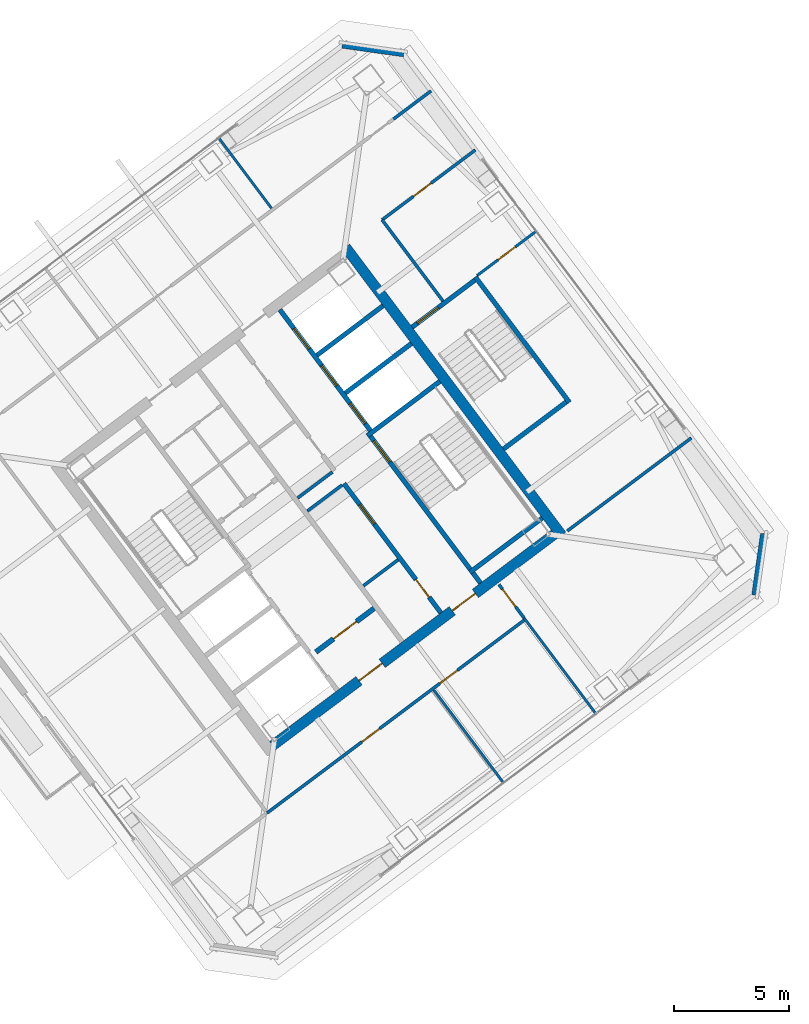
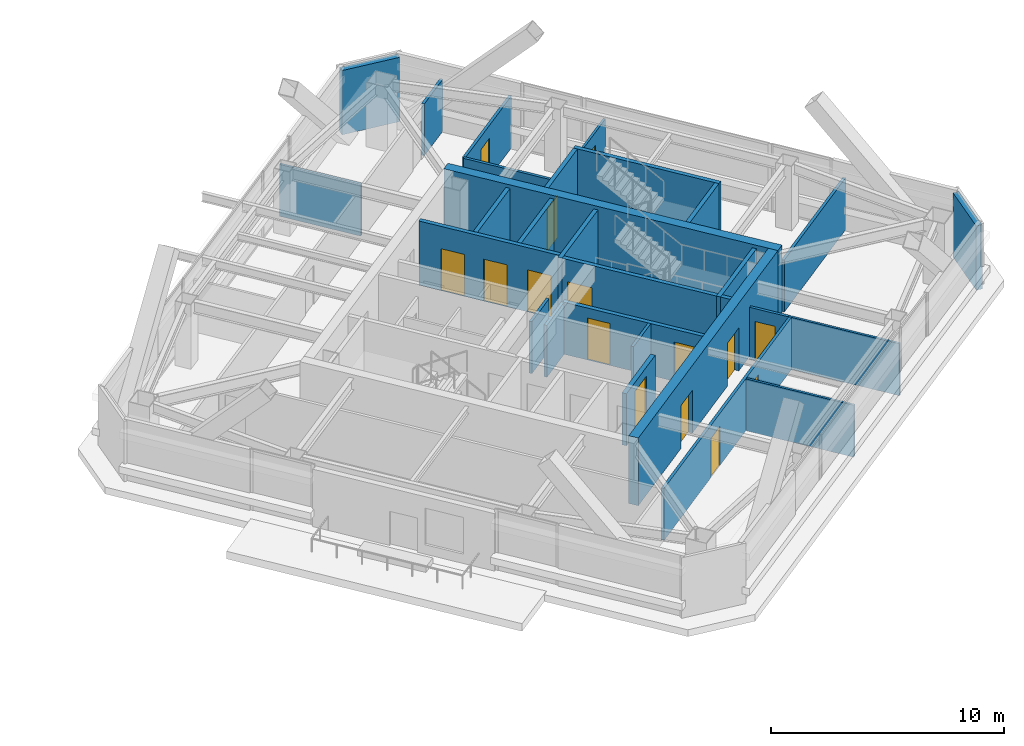
# One storey, part 33 of 39: 28 walls, 15 doors, 15 openings.
"""IFC4 building model written with IfcOpenShell, lengths in metres."""

from ifc_helpers import new_model, si_unit, direction, frame, frame_2d, origin, place, context, subcontext, project, spatial, rectangle, extrude, material, layer, layer_set, type_object, element, fill, save


model = new_model("IFC4")

# Units and contexts
model_context = context("Model", 3, precision=1e-05, world=origin(), true_north=direction((0.0, 1.0)))
body_context = subcontext(model_context, "Body", "Model", "MODEL_VIEW")
ifc_project = project(units=[si_unit("LENGTHUNIT", "METRE"), si_unit("AREAUNIT", "SQUARE_METRE"), si_unit("VOLUMEUNIT", "CUBIC_METRE"), si_unit("PLANEANGLEUNIT", "RADIAN"), si_unit("MASSUNIT", "GRAM", prefix="KILO")], contexts=[model_context])

# Site, building, storey
site_placement = place(None, origin())
site = spatial("IfcSite", under=ifc_project, at=site_placement, CompositionType="ELEMENT")
building_placement = place(site_placement, origin())
building = spatial("IfcBuilding", under=site, at=building_placement, Name="Tashvorn Skyway Center", CompositionType="ELEMENT")
storey_placement = place(building_placement, frame((0.0, 0.0, 232.60009765625)))
storey = spatial("IfcBuildingStorey", under=building, at=storey_placement, Name="L63", CompositionType="ELEMENT", Elevation=232.60009765625)

# Wall
ifc_material_1 = material(Name="Concrete C50/60", Category="concrete")
ifc_layer_1 = layer(ifc_material_1, 0.449951171875)
ifc_layer_set_1 = layer_set([ifc_layer_1], Name="Concrete C50/60")
wall_type_1 = type_object("IfcWallType", Name="WALL-CORE-450", PredefinedType="SHEAR", material=ifc_layer_set_1)
wall_1_placement = place(storey_placement, frame((115.60400390625, 42.952880859375, 0.0), z_axis=(0.0, 0.0, 1.0), x_axis=(0.600005007985, -0.799996243986, 0.0)))
element("IfcWall", 1, at=wall_1_placement, inside=storey, type_object=wall_type_1, Name="Tower 2 L63 East Core Shear Wall", PredefinedType="SHEAR", context=body_context, shape_type="SweptSolid", body=[
    extrude(rectangle(XDim=15.60009765625, YDim=0.449951171875, at=frame_2d((7.800048828125, 0.0))), origin(), (0.0, 0.0, 1.0), 3.5498046875),
])

# Wall, openings, doors
wall_2_placement = place(storey_placement, frame((124.64892578125, 30.51806640625, 0.0), z_axis=(0.0, 0.0, 1.0), x_axis=(-0.8, -0.6, 0.0)))
wall_2 = element("IfcWall", 2, at=wall_2_placement, inside=storey, type_object=wall_type_1, Name="Tower 2 L63 South Core Shear Wall", PredefinedType="SHEAR", context=body_context, shape_type="SweptSolid", body=[
    extrude(rectangle(XDim=15.260009765625, YDim=0.449951171875, at=frame_2d((7.6298828125, 0.0))), origin(), (0.0, 0.0, 1.0), 3.5498046875),
])
opening_1_placement = place(wall_2_placement, frame((9.330078125, 0.0, 0.0)))
opening_1 = element("IfcOpeningElement", 3, at=opening_1_placement, cuts=wall_2, Name="Opening D-FFL-1250", PredefinedType="OPENING", context=body_context, shape_type="SweptSolid", body=[
    extrude(rectangle(XDim=1.25, YDim=2.25, at=frame_2d((0.625, 1.125))), frame((0.0, 0.23486328125, 0.0), z_axis=(0.0, -1.0, 0.0), x_axis=(1.0, 0.0, 0.0)), (0.0, 0.0, 1.0), 0.469970703125),
])
opening_2_placement = place(wall_2_placement, frame((4.280029296875, 0.0, 0.0)))
opening_2 = element("IfcOpeningElement", 4, at=opening_2_placement, cuts=wall_2, Name="Opening D-FFL-1250", PredefinedType="OPENING", context=body_context, shape_type="SweptSolid", body=[
    extrude(rectangle(XDim=1.25, YDim=2.25, at=frame_2d((0.625, 1.125))), frame((0.0, 0.23486328125, 0.0), z_axis=(0.0, -1.0, 0.0), x_axis=(1.0, 0.0, 0.0)), (0.0, 0.0, 1.0), 0.469970703125),
])
ifc_material_2 = material(Name="Hollow galvanized steel fire door assembly", Category="steel")
door_type_1 = type_object("IfcDoorType", Name="DOOR-FFL-1250", OperationType="NOTDEFINED", PredefinedType="DOOR", material=ifc_material_2)
door_1_placement = place(opening_1_placement, origin())
door_1 = element("IfcDoor", 5, at=door_1_placement, inside=storey, type_object=door_type_1, Name="Tower 2 L63 Core South Firefighting Exit Door", OperationType="SINGLE_SWING_LEFT", OverallHeight=2.25, OverallWidth=1.25, PredefinedType="DOOR", context=body_context, shape_type="SweptSolid", body=[
    extrude(rectangle(XDim=1.25, YDim=2.25, at=frame_2d((0.625, 1.125))), frame((0.0, 0.02490234375, 0.0), z_axis=(0.0, -1.0, 0.0), x_axis=(1.0, 0.0, 0.0)), (0.0, 0.0, 1.0), 0.050048828125),
])
fill(opening_1, door_1)
door_2_placement = place(opening_2_placement, origin())
door_2 = element("IfcDoor", 6, at=door_2_placement, inside=storey, type_object=door_type_1, Name="Tower 2 L63 Core South Lift Lobby Door", OperationType="SINGLE_SWING_RIGHT", OverallHeight=2.25, OverallWidth=1.25, PredefinedType="DOOR", context=body_context, shape_type="SweptSolid", body=[
    extrude(rectangle(XDim=1.25, YDim=2.25, at=frame_2d((0.625, 1.125))), frame((0.0, 0.02490234375, 0.0), z_axis=(0.0, -1.0, 0.0), x_axis=(1.0, 0.0, 0.0)), (0.0, 0.0, 1.0), 0.050048828125),
])
fill(opening_2, door_2)

# Walls
ifc_material_3 = material(Name="Precast concrete C40/50", Category="concrete")
ifc_layer_2 = layer(ifc_material_3, 0.280029296875)
ifc_layer_set_2 = layer_set([ifc_layer_2], Name="Precast concrete C40/50")
wall_type_2 = type_object("IfcWallType", Name="WALL-EXT-280", PredefinedType="SOLIDWALL", material=ifc_layer_set_2)
for number, where, z_axis, x_axis, name in (
    (7, (115.4599609375, 51.719970703125, 0.0), (0.0, 0.0, 1.0), (0.989956760759, -0.141370477216, 0.0), "Tower 2 L63 NE Precast Chamfer Wall"),
    (8, (133.719970703125, 30.5400390625, 0.0), (0.0, 0.0, 1.0), (-0.141370477216, -0.989956760759, 0.0), "Tower 2 L63 SE Precast Chamfer Wall"),
):
    element("IfcWall", number, at=place(storey_placement, frame(where, z_axis=z_axis, x_axis=x_axis)), inside=storey, type_object=wall_type_2, Name=name, PredefinedType="SOLIDWALL", context=body_context, shape_type="SweptSolid", body=[
        extrude(rectangle(XDim=2.687255859375, YDim=0.280029296875, at=frame_2d((1.34375, 0.0))), origin(), (0.0, 0.0, 1.0), 3.369873046875),
    ])

# Wall, opening, door
ifc_material_4 = material(Name="Concrete C40/50", Category="concrete")
ifc_layer_3 = layer(ifc_material_4, 0.219970703125)
ifc_layer_set_3 = layer_set([ifc_layer_3], Name="Concrete C40/50")
wall_type_3 = type_object("IfcWallType", Name="WALL-FFL-220", PredefinedType="SOLIDWALL", material=ifc_layer_set_3)
wall_3_placement = place(storey_placement, frame((114.31591796875, 25.412109375, 0.0), z_axis=(0.0, 0.0, 1.0), x_axis=(0.800018601094, 0.59997519774, 0.0)))
wall_3 = element("IfcWall", 9, at=wall_3_placement, inside=storey, type_object=wall_type_3, Name="Tower 2 L63 Firefighting Lobby South Wall", PredefinedType="SOLIDWALL", context=body_context, shape_type="SweptSolid", body=[
    extrude(rectangle(XDim=3.14990234375, YDim=0.219970703125, at=frame_2d((1.574951171875, 0.0))), origin(), (0.0, 0.0, 1.0), 2.722900390625),
])
opening_3_placement = place(wall_3_placement, frame((0.949951171875, 0.0, 0.0)))
opening_3 = element("IfcOpeningElement", 10, at=opening_3_placement, cuts=wall_3, Name="Opening D-FFL-1250", PredefinedType="OPENING", context=body_context, shape_type="SweptSolid", body=[
    extrude(rectangle(XDim=1.25, YDim=2.25, at=frame_2d((0.625, 1.125))), frame((0.0, 0.119873046875, 0.0), z_axis=(0.0, -1.0, 0.0), x_axis=(1.0, 0.0, 0.0)), (0.0, 0.0, 1.0), 0.239990234375),
])
door_3_placement = place(opening_3_placement, origin())
door_3 = element("IfcDoor", 11, at=door_3_placement, inside=storey, type_object=door_type_1, Name="Tower 2 L63 Firefighting Lobby Egress Door", OperationType="SINGLE_SWING_LEFT", OverallHeight=2.25, OverallWidth=1.25, PredefinedType="DOOR", context=body_context, shape_type="SweptSolid", body=[
    extrude(rectangle(XDim=1.25, YDim=2.25, at=frame_2d((0.625, 1.125))), frame((0.0, 0.02490234375, 0.0), z_axis=(0.0, -1.0, 0.0), x_axis=(1.0, 0.0, 0.0)), (0.0, 0.0, 1.0), 0.050048828125),
])
fill(opening_3, door_3)

# Walls
ifc_material_5 = material(Name="Gypsum board on cold-formed steel stud framing", Category="steel")
ifc_layer_4 = layer(ifc_material_5, 0.110107421875)
ifc_layer_set_4 = layer_set([ifc_layer_4], Name="Gypsum board on cold-formed steel stud framing")
wall_type_4 = type_object("IfcWallType", Name="WALL-PART-110", PredefinedType="PARTITIONING", material=ifc_layer_set_4)
wall_4_placement = place(storey_placement, frame((112.39208984375, 44.64404296875, 0.0), z_axis=(0.0, 0.0, 1.0), x_axis=(-0.6, 0.8, 0.0)))
element("IfcWall", 12, at=wall_4_placement, inside=storey, type_object=wall_type_4, Name="Tower 2 L63 North Suite Partition 2", PredefinedType="PARTITIONING", context=body_context, shape_type="SweptSolid", body=[
    extrude(rectangle(XDim=3.800048828125, YDim=0.110107421875, at=frame_2d((1.89990234375, 0.0))), origin(), (0.0, 0.0, 1.0), 2.722900390625),
])
wall_5_placement = place(storey_placement, frame((122.447998046875, 19.736083984375, 0.0), z_axis=(0.0, 0.0, 1.0), x_axis=(-0.600015531756, 0.799988350947, 0.0)))
element("IfcWall", 13, at=wall_5_placement, inside=storey, type_object=wall_type_4, Name="Tower 2 L63 South Suite Partition 1", PredefinedType="PARTITIONING", context=body_context, shape_type="SweptSolid", body=[
    extrude(rectangle(XDim=5.030029296875, YDim=0.110107421875, at=frame_2d((2.51513671875, 0.0))), origin(), (0.0, 0.0, 1.0), 2.722900390625),
])
wall_6_placement = place(storey_placement, frame((126.447998046875, 22.736083984375, 0.0), z_axis=(0.0, 0.0, 1.0), x_axis=(-0.600015053192, 0.799988709885, 0.0)))
element("IfcWall", 14, at=wall_6_placement, inside=storey, type_object=wall_type_4, Name="Tower 2 L63 South-East Suite Wall", PredefinedType="PARTITIONING", context=body_context, shape_type="SweptSolid", body=[
    extrude(rectangle(XDim=5.18994140625, YDim=0.110107421875, at=frame_2d((2.594970703125, 0.0))), origin(), (0.0, 0.0, 1.0), 2.722900390625),
])

# Wall, opening, door
wall_7_placement = place(storey_placement, frame((123.864013671875, 43.64794921875, 0.0), z_axis=(0.0, 0.0, 1.0), x_axis=(-0.800018310174, -0.599975585658, 0.0)))
wall_7 = element("IfcWall", 15, at=wall_7_placement, inside=storey, type_object=wall_type_4, Name="Tower 2 L63 East Suite Partition 1", PredefinedType="PARTITIONING", context=body_context, shape_type="SweptSolid", body=[
    extrude(rectangle(XDim=3.199951171875, YDim=0.110107421875, at=frame_2d((1.60009765625, 0.0))), origin(), (0.0, 0.0, 1.0), 2.722900390625),
])
opening_4_placement = place(wall_7_placement, frame((1.125, 0.0, 0.0)))
opening_4 = element("IfcOpeningElement", 16, at=opening_4_placement, cuts=wall_7, Name="Opening D-INT-950", PredefinedType="OPENING", context=body_context, shape_type="SweptSolid", body=[
    extrude(rectangle(XDim=0.949951171875, YDim=2.050048828125, at=frame_2d((0.47509765625, 1.02490234375))), frame((0.0, 0.06494140625, 0.0), z_axis=(0.0, -1.0, 0.0), x_axis=(1.0, 0.0, 0.0)), (0.0, 0.0, 1.0), 0.130126953125),
])
ifc_material_6 = material(Name="Solid-core architectural oak veneer door")
door_type_2 = type_object("IfcDoorType", Name="DOOR-INT-950", OperationType="NOTDEFINED", PredefinedType="DOOR", material=ifc_material_6)
door_4_placement = place(opening_4_placement, origin())
door_4 = element("IfcDoor", 17, at=door_4_placement, inside=storey, type_object=door_type_2, Name="Tower 2 L63 Boardroom Door", OperationType="SINGLE_SWING_RIGHT", OverallHeight=2.050048828125, OverallWidth=0.949951171875, PredefinedType="DOOR", context=body_context, shape_type="SweptSolid", body=[
    extrude(rectangle(XDim=0.949951171875, YDim=2.050048828125, at=frame_2d((0.47509765625, 1.02490234375))), frame((0.0, 0.02490234375, 0.0), z_axis=(0.0, -1.0, 0.0), x_axis=(1.0, 0.0, 0.0)), (0.0, 0.0, 1.0), 0.050048828125),
])
fill(opening_4, door_4)

# Walls
ifc_layer_5 = layer(ifc_material_5, 0.135009765625)
ifc_layer_set_5 = layer_set([ifc_layer_5], Name="Gypsum board on cold-formed steel stud framing")
wall_type_5 = type_object("IfcWallType", Name="WALL-PART-135", PredefinedType="PARTITIONING", material=ifc_layer_set_5)
wall_8_placement = place(storey_placement, frame((119.823974609375, 40.617919921875, 0.0), z_axis=(0.0, 0.0, 1.0), x_axis=(-0.599982243973, 0.800013316712, 0.0)))
element("IfcWall", 18, at=wall_8_placement, inside=storey, type_object=wall_type_5, Name="Tower 2 L63 Stair 3 Access Corridor Wall", PredefinedType="PARTITIONING", context=body_context, shape_type="SweptSolid", body=[
    extrude(rectangle(XDim=4.39990234375, YDim=0.135009765625, at=frame_2d((2.199951171875, 0.0))), origin(), (0.0, 0.0, 1.0), 2.722900390625),
])
wall_9_placement = place(storey_placement, frame((117.679931640625, 48.510009765625, 0.0), z_axis=(0.0, 0.0, 1.0), x_axis=(0.8, 0.6, 0.0)))
element("IfcWall", 19, at=wall_9_placement, inside=storey, type_object=wall_type_5, Name="Tower 2 L63 North-East Suite South Wall", PredefinedType="PARTITIONING", context=body_context, shape_type="SweptSolid", body=[
    extrude(rectangle(XDim=2.030029296875, YDim=0.135009765625, at=frame_2d((1.01513671875, 0.0))), origin(), (0.0, 0.0, 1.0), 2.722900390625),
])

# Wall, openings, doors
wall_10_placement = place(storey_placement, frame((123.382080078125, 26.823974609375, 0.0), z_axis=(0.0, 0.0, 1.0), x_axis=(-0.800004191227, -0.599994411657, 0.0)))
wall_10 = element("IfcWall", 20, at=wall_10_placement, inside=storey, type_object=wall_type_5, Name="Tower 2 L63 South Suite Wall", PredefinedType="PARTITIONING", context=body_context, shape_type="SweptSolid", body=[
    extrude(rectangle(XDim=13.97998046875, YDim=0.135009765625, at=frame_2d((6.989990234375, 0.0))), origin(), (0.0, 0.0, 1.0), 2.722900390625),
])
opening_5_placement = place(wall_10_placement, frame((7.886962890625, 0.0, 0.0)))
opening_5 = element("IfcOpeningElement", 21, at=opening_5_placement, cuts=wall_10, Name="Opening D-INT-950", PredefinedType="OPENING", context=body_context, shape_type="SweptSolid", body=[
    extrude(rectangle(XDim=0.949951171875, YDim=2.050048828125, at=frame_2d((0.47509765625, 1.02490234375))), frame((0.0, 0.077392578125, 0.0), z_axis=(0.0, -1.0, 0.0), x_axis=(1.0, 0.0, 0.0)), (0.0, 0.0, 1.0), 0.155029296875),
])
opening_6_placement = place(wall_10_placement, frame((3.669921875, 0.0, 0.0)))
opening_6 = element("IfcOpeningElement", 22, at=opening_6_placement, cuts=wall_10, Name="Opening D-INT-950", PredefinedType="OPENING", context=body_context, shape_type="SweptSolid", body=[
    extrude(rectangle(XDim=0.949951171875, YDim=2.050048828125, at=frame_2d((0.47509765625, 1.02490234375))), frame((0.0, 0.077392578125, 0.0), z_axis=(0.0, -1.0, 0.0), x_axis=(1.0, 0.0, 0.0)), (0.0, 0.0, 1.0), 0.155029296875),
])
door_5_placement = place(opening_5_placement, origin())
door_5 = element("IfcDoor", 23, at=door_5_placement, inside=storey, type_object=door_type_2, Name="Tower 2 L63 Operations Control Room Door", OperationType="SINGLE_SWING_RIGHT", OverallHeight=2.050048828125, OverallWidth=0.949951171875, PredefinedType="DOOR", context=body_context, shape_type="SweptSolid", body=[
    extrude(rectangle(XDim=0.949951171875, YDim=2.050048828125, at=frame_2d((0.47509765625, 1.02490234375))), frame((0.0, 0.02490234375, 0.0), z_axis=(0.0, -1.0, 0.0), x_axis=(1.0, 0.0, 0.0)), (0.0, 0.0, 1.0), 0.050048828125),
])
fill(opening_5, door_5)
door_6_placement = place(opening_6_placement, origin())
door_6 = element("IfcDoor", 24, at=door_6_placement, inside=storey, type_object=door_type_2, Name="Tower 2 L63 Boardroom Door", OperationType="SINGLE_SWING_LEFT", OverallHeight=2.050048828125, OverallWidth=0.949951171875, PredefinedType="DOOR", context=body_context, shape_type="SweptSolid", body=[
    extrude(rectangle(XDim=0.949951171875, YDim=2.050048828125, at=frame_2d((0.47509765625, 1.02490234375))), frame((0.0, 0.02490234375, 0.0), z_axis=(0.0, -1.0, 0.0), x_axis=(1.0, 0.0, 0.0)), (0.0, 0.0, 1.0), 0.050048828125),
])
fill(opening_6, door_6)

# Wall, opening, door
wall_11_placement = place(storey_placement, frame((122.248046875, 28.3359375, 0.0), z_axis=(0.0, 0.0, 1.0), x_axis=(0.599978417824, -0.800016186177, 0.0)))
wall_11 = element("IfcWall", 25, at=wall_11_placement, inside=storey, type_object=wall_type_5, Name="Tower 2 L63 South Gallery End Wall", PredefinedType="PARTITIONING", context=body_context, shape_type="SweptSolid", body=[
    extrude(rectangle(XDim=1.81005859375, YDim=0.135009765625, at=frame_2d((0.905029296875, 0.0))), origin(), (0.0, 0.0, 1.0), 2.722900390625),
])
opening_7_placement = place(wall_11_placement, frame((0.25, 0.0, 0.0)))
opening_7 = element("IfcOpeningElement", 26, at=opening_7_placement, cuts=wall_11, Name="Opening D-INT-950", PredefinedType="OPENING", context=body_context, shape_type="SweptSolid", body=[
    extrude(rectangle(XDim=0.949951171875, YDim=2.050048828125, at=frame_2d((0.47509765625, 1.02490234375))), frame((0.0, 0.077392578125, 0.0), z_axis=(0.0, -1.0, 0.0), x_axis=(1.0, 0.0, 0.0)), (0.0, 0.0, 1.0), 0.155029296875),
])
door_7_placement = place(opening_7_placement, origin())
door_7 = element("IfcDoor", 27, at=door_7_placement, inside=storey, type_object=door_type_2, Name="Tower 2 L63 Wellness Clinic Door", OperationType="SINGLE_SWING_RIGHT", OverallHeight=2.050048828125, OverallWidth=0.949951171875, PredefinedType="DOOR", context=body_context, shape_type="SweptSolid", body=[
    extrude(rectangle(XDim=0.949951171875, YDim=2.050048828125, at=frame_2d((0.47509765625, 1.02490234375))), frame((0.0, 0.02490234375, 0.0), z_axis=(0.0, -1.0, 0.0), x_axis=(1.0, 0.0, 0.0)), (0.0, 0.0, 1.0), 0.050048828125),
])
fill(opening_7, door_7)

wall_12_placement = place(storey_placement, frame((121.22412109375, 47.16796875, 0.0), z_axis=(0.0, 0.0, 1.0), x_axis=(-0.8, -0.6, 0.0)))
wall_12 = element("IfcWall", 28, at=wall_12_placement, inside=storey, type_object=wall_type_5, Name="Tower 2 L63 East Suite North Wall", PredefinedType="PARTITIONING", context=body_context, shape_type="SweptSolid", body=[
    extrude(rectangle(XDim=5.050048828125, YDim=0.135009765625, at=frame_2d((2.52490234375, 0.0))), origin(), (0.0, 0.0, 1.0), 2.722900390625),
])
opening_8_placement = place(wall_12_placement, frame((2.39990234375, 0.0, 0.0)))
opening_8 = element("IfcOpeningElement", 29, at=opening_8_placement, cuts=wall_12, Name="Opening D-INT-950", PredefinedType="OPENING", context=body_context, shape_type="SweptSolid", body=[
    extrude(rectangle(XDim=0.949951171875, YDim=2.050048828125, at=frame_2d((0.47509765625, 1.02490234375))), frame((0.0, 0.077392578125, 0.0), z_axis=(0.0, -1.0, 0.0), x_axis=(1.0, 0.0, 0.0)), (0.0, 0.0, 1.0), 0.155029296875),
])
door_8_placement = place(opening_8_placement, origin())
door_8 = element("IfcDoor", 30, at=door_8_placement, inside=storey, type_object=door_type_2, Name="Tower 2 L63 Wellness Clinic Door", OperationType="SINGLE_SWING_LEFT", OverallHeight=2.050048828125, OverallWidth=0.949951171875, PredefinedType="DOOR", context=body_context, shape_type="SweptSolid", body=[
    extrude(rectangle(XDim=0.949951171875, YDim=2.050048828125, at=frame_2d((0.47509765625, 1.02490234375))), frame((0.0, 0.02490234375, 0.0), z_axis=(0.0, -1.0, 0.0), x_axis=(1.0, 0.0, 0.0)), (0.0, 0.0, 1.0), 0.050048828125),
])
fill(opening_8, door_8)

# Walls
wall_13_placement = place(storey_placement, frame((125.2080078125, 30.656005859375, 0.0), z_axis=(0.0, 0.0, 1.0), x_axis=(0.8, 0.6, 0.0)))
element("IfcWall", 31, at=wall_13_placement, inside=storey, type_object=wall_type_5, Name="Tower 2 L63 East Suite South Wall", PredefinedType="PARTITIONING", context=body_context, shape_type="SweptSolid", body=[
    extrude(rectangle(XDim=6.719970703125, YDim=0.135009765625, at=frame_2d((3.35986328125, 0.0))), origin(), (0.0, 0.0, 1.0), 2.722900390625),
])
ifc_layer_6 = layer(ifc_material_5, 0.135009765625)
ifc_layer_set_6 = layer_set([ifc_layer_6], Name="Gypsum board on cold-formed steel stud framing")
wall_type_6 = type_object("IfcWallType", Name="WALL-RATED-135", PredefinedType="PARTITIONING", material=ifc_layer_set_6)
for number, where, z_axis, x_axis, name in (
    (32, (113.946044921875, 31.52197265625, 0.0), (0.0, 0.0, 1.0), (0.8, 0.6, 0.0), "Tower 2 L63 Core Room Partition"),
    (33, (116.3759765625, 28.281982421875, 0.0), (0.0, 0.0, 1.0), (0.8, 0.6, 0.0), "Tower 2 L63 Freed Core Partition"),
):
    element("IfcWall", number, at=place(storey_placement, frame(where, z_axis=z_axis, x_axis=x_axis)), inside=storey, type_object=wall_type_6, Name=name, PredefinedType="PARTITIONING", context=body_context, shape_type="SweptSolid", body=[
        extrude(rectangle(XDim=1.8798828125, YDim=0.135009765625, at=frame_2d((0.93994140625, 0.0))), origin(), (0.0, 0.0, 1.0), 2.722900390625),
    ])
wall_14_placement = place(storey_placement, frame((113.52587890625, 32.08203125, 0.0), z_axis=(0.0, 0.0, 1.0), x_axis=(0.800046745961, 0.599937666993, 0.0)))
element("IfcWall", 34, at=wall_14_placement, inside=storey, type_object=wall_type_6, Name="Tower 2 L63 Core Room Partition", PredefinedType="PARTITIONING", context=body_context, shape_type="SweptSolid", body=[
    extrude(rectangle(XDim=1.880126953125, YDim=0.135009765625, at=frame_2d((0.93994140625, 0.0))), origin(), (0.0, 0.0, 1.0), 2.722900390625),
])
ifc_layer_7 = layer(ifc_material_4, 0.199951171875)
ifc_layer_set_7 = layer_set([ifc_layer_7], Name="Concrete C40/50")
wall_type_7 = type_object("IfcWallType", Name="WALL-SHAFT-200", PredefinedType="SOLIDWALL", material=ifc_layer_set_7)
for number, where, z_axis, x_axis, name in (
    (35, (115.590087890625, 36.6298828125, 0.0), (0.0, 0.0, 1.0), (0.799975449747, 0.600032732276, 0.0), "Tower 2 L63 High-Rise Shaft Divider"),
    (36, (114.360107421875, 38.27001953125, 0.0), (0.0, 0.0, 1.0), (0.800008183455, 0.599989088572, 0.0), "Tower 2 L63 High-Rise Shaft Divider"),
):
    element("IfcWall", number, at=place(storey_placement, frame(where, z_axis=z_axis, x_axis=x_axis)), inside=storey, type_object=wall_type_7, Name=name, PredefinedType="SOLIDWALL", context=body_context, shape_type="SweptSolid", body=[
        extrude(rectangle(XDim=3.580078125, YDim=0.199951171875, at=frame_2d((1.7900390625, 0.0))), origin(), (0.0, 0.0, 1.0), 3.369873046875),
    ])

# Wall, openings, doors
wall_15_placement = place(storey_placement, frame((119.72998046875, 27.110107421875, 0.0), z_axis=(0.0, 0.0, 1.0), x_axis=(-0.600005580459, 0.799995814625, 0.0)))
wall_15 = element("IfcWall", 37, at=wall_15_placement, inside=storey, type_object=wall_type_7, Name="Tower 2 L63 Low-Rise Core Wall", PredefinedType="SOLIDWALL", context=body_context, shape_type="SweptSolid", body=[
    extrude(rectangle(XDim=6.999755859375, YDim=0.199951171875, at=frame_2d((3.5, 0.0))), origin(), (0.0, 0.0, 1.0), 2.722900390625),
])
opening_9_placement = place(wall_15_placement, frame((0.85009765625, 0.0, 0.0)))
opening_9 = element("IfcOpeningElement", 38, at=opening_9_placement, cuts=wall_15, Name="Opening D-RT-950", PredefinedType="OPENING", context=body_context, shape_type="SweptSolid", body=[
    extrude(rectangle(XDim=0.949951171875, YDim=2.050048828125, at=frame_2d((0.47509765625, 1.02490234375))), frame((0.0, 0.10986328125, 0.0), z_axis=(0.0, -1.0, 0.0), x_axis=(1.0, 0.0, 0.0)), (0.0, 0.0, 1.0), 0.219970703125),
])
opening_10_placement = place(wall_15_placement, frame((4.800048828125, 0.0, 0.0)))
opening_10 = element("IfcOpeningElement", 39, at=opening_10_placement, cuts=wall_15, Name="Opening D-RT-1050", PredefinedType="OPENING", context=body_context, shape_type="SweptSolid", body=[
    extrude(rectangle(XDim=1.050048828125, YDim=2.199951171875, at=frame_2d((0.52490234375, 1.10009765625))), frame((0.0, 0.10986328125, 0.0), z_axis=(0.0, -1.0, 0.0), x_axis=(1.0, 0.0, 0.0)), (0.0, 0.0, 1.0), 0.219970703125),
])
door_type_3 = type_object("IfcDoorType", Name="DOOR-RATED-1050", OperationType="NOTDEFINED", PredefinedType="DOOR", material=ifc_material_2)
door_9_placement = place(opening_10_placement, origin())
door_9 = element("IfcDoor", 40, at=door_9_placement, inside=storey, type_object=door_type_3, Name="Tower 2 L63 Freed Core Room Door", OperationType="SINGLE_SWING_RIGHT", OverallHeight=2.199951171875, OverallWidth=1.050048828125, PredefinedType="DOOR", context=body_context, shape_type="SweptSolid", body=[
    extrude(rectangle(XDim=1.050048828125, YDim=2.199951171875, at=frame_2d((0.52490234375, 1.10009765625))), frame((0.0, 0.02490234375, 0.0), z_axis=(0.0, -1.0, 0.0), x_axis=(1.0, 0.0, 0.0)), (0.0, 0.0, 1.0), 0.050048828125),
])
fill(opening_10, door_9)
door_type_4 = type_object("IfcDoorType", Name="DOOR-RATED-950", OperationType="NOTDEFINED", PredefinedType="DOOR", material=ifc_material_2)
door_10_placement = place(opening_9_placement, origin())
door_10 = element("IfcDoor", 41, at=door_10_placement, inside=storey, type_object=door_type_4, Name="Tower 2 L63 Core Print Room Door", OperationType="SINGLE_SWING_LEFT", OverallHeight=2.050048828125, OverallWidth=0.949951171875, PredefinedType="DOOR", context=body_context, shape_type="SweptSolid", body=[
    extrude(rectangle(XDim=0.949951171875, YDim=2.050048828125, at=frame_2d((0.47509765625, 1.02490234375))), frame((0.0, 0.02490234375, 0.0), z_axis=(0.0, -1.0, 0.0), x_axis=(1.0, 0.0, 0.0)), (0.0, 0.0, 1.0), 0.050048828125),
])
fill(opening_9, door_10)

# Wall, opening, door
ifc_layer_8 = layer(ifc_material_4, 0.199951171875)
ifc_layer_set_8 = layer_set([ifc_layer_8], Name="Concrete C40/50")
wall_type_8 = type_object("IfcWallType", Name="WALL-STSHF-200", PredefinedType="SHEAR", material=ifc_layer_set_8)
wall_16_placement = place(storey_placement, frame((116.56005859375, 34.919921875, 0.0), z_axis=(0.0, 0.0, 1.0), x_axis=(0.59999041401, -0.800007189403, 0.0)))
wall_16 = element("IfcWall", 42, at=wall_16_placement, inside=storey, type_object=wall_type_8, Name="Tower 2 L63 Stair 2 Enclosure Wall", PredefinedType="SHEAR", context=body_context, shape_type="SweptSolid", body=[
    extrude(rectangle(XDim=8.14990234375, YDim=0.199951171875, at=frame_2d((4.074951171875, 0.0))), origin(), (0.0, 0.0, 1.0), 3.369873046875),
])
opening_11_placement = place(wall_16_placement, frame((0.449951171875, 0.0, 0.0)))
opening_11 = element("IfcOpeningElement", 43, at=opening_11_placement, cuts=wall_16, Name="Opening D-ST-1150", PredefinedType="OPENING", context=body_context, shape_type="SweptSolid", body=[
    extrude(rectangle(XDim=1.14990234375, YDim=2.199951171875, at=frame_2d((0.574951171875, 1.10009765625))), frame((0.0, 0.10986328125, 0.0), z_axis=(0.0, -1.0, 0.0), x_axis=(1.0, 0.0, 0.0)), (0.0, 0.0, 1.0), 0.219970703125),
])
door_type_5 = type_object("IfcDoorType", Name="DOOR-STAIR-1150", OperationType="NOTDEFINED", PredefinedType="DOOR", material=ifc_material_2)
door_11_placement = place(opening_11_placement, origin())
door_11 = element("IfcDoor", 44, at=door_11_placement, inside=storey, type_object=door_type_5, Name="Tower 2 L63 Exit Stair 2 Door", OperationType="SINGLE_SWING_RIGHT", OverallHeight=2.199951171875, OverallWidth=1.14990234375, PredefinedType="DOOR", context=body_context, shape_type="SweptSolid", body=[
    extrude(rectangle(XDim=1.14990234375, YDim=2.199951171875, at=frame_2d((0.574951171875, 1.10009765625))), frame((0.0, 0.02490234375, 0.0), z_axis=(0.0, -1.0, 0.0), x_axis=(1.0, 0.0, 0.0)), (0.0, 0.0, 1.0), 0.050048828125),
])
fill(opening_11, door_11)

# Walls
for number, where, z_axis, x_axis, name in (
    (45, (116.5400390625, 34.780029296875, 0.0), (0.0, 0.0, 1.0), (0.800014909178, 0.599980120581, 0.0), "Tower 2 L63 Stair 2 North Wall"),
    (46, (120.97998046875, 28.860107421875, 0.0), (0.0, 0.0, 1.0), (0.800014909178, 0.599980120581, 0.0), "Tower 2 L63 Stair 2 South Wall"),
):
    element("IfcWall", number, at=place(storey_placement, frame(where, z_axis=z_axis, x_axis=x_axis)), inside=storey, type_object=wall_type_8, Name=name, PredefinedType="SHEAR", context=body_context, shape_type="SweptSolid", body=[
        extrude(rectangle(XDim=3.929931640625, YDim=0.199951171875, at=frame_2d((1.96484375, 0.0))), origin(), (0.0, 0.0, 1.0), 3.369873046875),
    ])

# Wall, openings, doors
wall_17_placement = place(storey_placement, frame((112.75, 40.25, 0.0), z_axis=(0.0, 0.0, 1.0), x_axis=(0.599994036198, -0.800004472816, 0.0)))
wall_17 = element("IfcWall", 47, at=wall_17_placement, inside=storey, type_object=wall_type_8, Name="Tower 2 L63 High-Rise Lift Shaft Front Wall", PredefinedType="SHEAR", context=body_context, shape_type="SweptSolid", body=[
    extrude(rectangle(XDim=6.550048828125, YDim=0.199951171875, at=frame_2d((3.27490234375, 0.0))), origin(), (0.0, 0.0, 1.0), 3.369873046875),
])
opening_12_placement = place(wall_17_placement, frame((5.074951171875, 0.0, 0.0)))
opening_12 = element("IfcOpeningElement", 48, at=opening_12_placement, cuts=wall_17, Name="Opening LD-HR-T2-1-L63", PredefinedType="OPENING", context=body_context, shape_type="SweptSolid", body=[
    extrude(rectangle(XDim=1.10009765625, YDim=2.199951171875, at=frame_2d((0.550048828125, 1.10009765625))), frame((0.0, 0.10986328125, 0.0), z_axis=(0.0, -1.0, 0.0), x_axis=(1.0, 0.0, 0.0)), (0.0, 0.0, 1.0), 0.219970703125),
])
opening_13_placement = place(wall_17_placement, frame((3.02490234375, 0.0, 0.0)))
opening_13 = element("IfcOpeningElement", 49, at=opening_13_placement, cuts=wall_17, Name="Opening LD-HR-T2-2-L63", PredefinedType="OPENING", context=body_context, shape_type="SweptSolid", body=[
    extrude(rectangle(XDim=1.10009765625, YDim=2.199951171875, at=frame_2d((0.550048828125, 1.10009765625))), frame((0.0, 0.10986328125, 0.0), z_axis=(0.0, -1.0, 0.0), x_axis=(1.0, 0.0, 0.0)), (0.0, 0.0, 1.0), 0.219970703125),
])
opening_14_placement = place(wall_17_placement, frame((1.02490234375, 0.0, 0.0)))
opening_14 = element("IfcOpeningElement", 50, at=opening_14_placement, cuts=wall_17, Name="Opening LD-HR-T2-3-L63", PredefinedType="OPENING", context=body_context, shape_type="SweptSolid", body=[
    extrude(rectangle(XDim=1.10009765625, YDim=2.199951171875, at=frame_2d((0.550048828125, 1.10009765625))), frame((0.0, 0.10986328125, 0.0), z_axis=(0.0, -1.0, 0.0), x_axis=(1.0, 0.0, 0.0)), (0.0, 0.0, 1.0), 0.219970703125),
])
ifc_material_7 = material(Name="Stainless steel landing door", Category="steel")
door_type_6 = type_object("IfcDoorType", Name="DOOR-LIFT-1100", OperationType="SLIDING_TO_LEFT", PredefinedType="DOOR", material=ifc_material_7)
door_12_placement = place(opening_12_placement, origin())
door_12 = element("IfcDoor", 51, at=door_12_placement, inside=storey, type_object=door_type_6, Name="Lift HR-T2-1 L63 Landing Door", OperationType="SLIDING_TO_LEFT", OverallHeight=2.199951171875, OverallWidth=1.10009765625, PredefinedType="DOOR", context=body_context, shape_type="SweptSolid", body=[
    extrude(rectangle(XDim=1.10009765625, YDim=2.199951171875, at=frame_2d((0.550048828125, 1.10009765625))), frame((0.0, 0.02490234375, 0.0), z_axis=(0.0, -1.0, 0.0), x_axis=(1.0, 0.0, 0.0)), (0.0, 0.0, 1.0), 0.050048828125),
])
fill(opening_12, door_12)
door_13_placement = place(opening_13_placement, origin())
door_13 = element("IfcDoor", 52, at=door_13_placement, inside=storey, type_object=door_type_6, Name="Lift HR-T2-2 L63 Landing Door", OperationType="SLIDING_TO_LEFT", OverallHeight=2.199951171875, OverallWidth=1.10009765625, PredefinedType="DOOR", context=body_context, shape_type="SweptSolid", body=[
    extrude(rectangle(XDim=1.10009765625, YDim=2.199951171875, at=frame_2d((0.550048828125, 1.10009765625))), frame((0.0, 0.02490234375, 0.0), z_axis=(0.0, -1.0, 0.0), x_axis=(1.0, 0.0, 0.0)), (0.0, 0.0, 1.0), 0.050048828125),
])
fill(opening_13, door_13)
door_14_placement = place(opening_14_placement, origin())
door_14 = element("IfcDoor", 53, at=door_14_placement, inside=storey, type_object=door_type_6, Name="Lift HR-T2-3 L63 Landing Door", OperationType="SLIDING_TO_LEFT", OverallHeight=2.199951171875, OverallWidth=1.10009765625, PredefinedType="DOOR", context=body_context, shape_type="SweptSolid", body=[
    extrude(rectangle(XDim=1.10009765625, YDim=2.199951171875, at=frame_2d((0.550048828125, 1.10009765625))), frame((0.0, 0.02490234375, 0.0), z_axis=(0.0, -1.0, 0.0), x_axis=(1.0, 0.0, 0.0)), (0.0, 0.0, 1.0), 0.050048828125),
])
fill(opening_14, door_14)

# Wall
wall_18_placement = place(storey_placement, frame((125.303955078125, 36.22802734375, 0.0), z_axis=(0.0, 0.0, 1.0), x_axis=(-0.59998851072, 0.800008616831, 0.0)))
element("IfcWall", 54, at=wall_18_placement, inside=storey, type_object=wall_type_8, Name="Tower 2 L63 Stair 3 Outer Wall", PredefinedType="SHEAR", context=body_context, shape_type="SweptSolid", body=[
    extrude(rectangle(XDim=6.7998046875, YDim=0.199951171875, at=frame_2d((3.39990234375, 0.0))), origin(), (0.0, 0.0, 1.0), 3.369873046875),
])

# Wall, opening, door
wall_19_placement = place(storey_placement, frame((121.2041015625, 41.528076171875, 0.0), z_axis=(0.0, 0.0, 1.0), x_axis=(-0.800017232136, -0.599977023131, 0.0)))
wall_19 = element("IfcWall", 55, at=wall_19_placement, inside=storey, type_object=wall_type_8, Name="Tower 2 L63 Stair 3 Enclosure Wall", PredefinedType="SHEAR", context=body_context, shape_type="SweptSolid", body=[
    extrude(rectangle(XDim=3.400146484375, YDim=0.199951171875, at=frame_2d((1.7001953125, 0.0))), origin(), (0.0, 0.0, 1.0), 3.369873046875),
])
opening_15_placement = place(wall_19_placement, frame((1.97509765625, 0.0, 0.0)))
opening_15 = element("IfcOpeningElement", 56, at=opening_15_placement, cuts=wall_19, Name="Opening D-ST-1150", PredefinedType="OPENING", context=body_context, shape_type="SweptSolid", body=[
    extrude(rectangle(XDim=1.14990234375, YDim=2.199951171875, at=frame_2d((0.574951171875, 1.10009765625))), frame((0.0, 0.10986328125, 0.0), z_axis=(0.0, -1.0, 0.0), x_axis=(1.0, 0.0, 0.0)), (0.0, 0.0, 1.0), 0.219970703125),
])
door_15_placement = place(opening_15_placement, origin())
door_15 = element("IfcDoor", 57, at=door_15_placement, inside=storey, type_object=door_type_5, Name="Tower 2 L63 Exit Stair 3 Door", OperationType="SINGLE_SWING_RIGHT", OverallHeight=2.199951171875, OverallWidth=1.14990234375, PredefinedType="DOOR", context=body_context, shape_type="SweptSolid", body=[
    extrude(rectangle(XDim=1.14990234375, YDim=2.199951171875, at=frame_2d((0.574951171875, 1.10009765625))), frame((0.0, 0.02490234375, 0.0), z_axis=(0.0, -1.0, 0.0), x_axis=(1.0, 0.0, 0.0)), (0.0, 0.0, 1.0), 0.050048828125),
])
fill(opening_15, door_15)

# Wall
wall_20_placement = place(storey_placement, frame((122.444091796875, 34.2080078125, 0.0), z_axis=(0.0, 0.0, 1.0), x_axis=(0.79999138319, 0.600011488909, 0.0)))
element("IfcWall", 58, at=wall_20_placement, inside=storey, type_object=wall_type_8, Name="Tower 2 L63 Stair 3 South Wall", PredefinedType="SHEAR", context=body_context, shape_type="SweptSolid", body=[
    extrude(rectangle(XDim=3.39990234375, YDim=0.199951171875, at=frame_2d((1.699951171875, 0.0))), origin(), (0.0, 0.0, 1.0), 3.369873046875),
])

save(model, "model.ifc")
